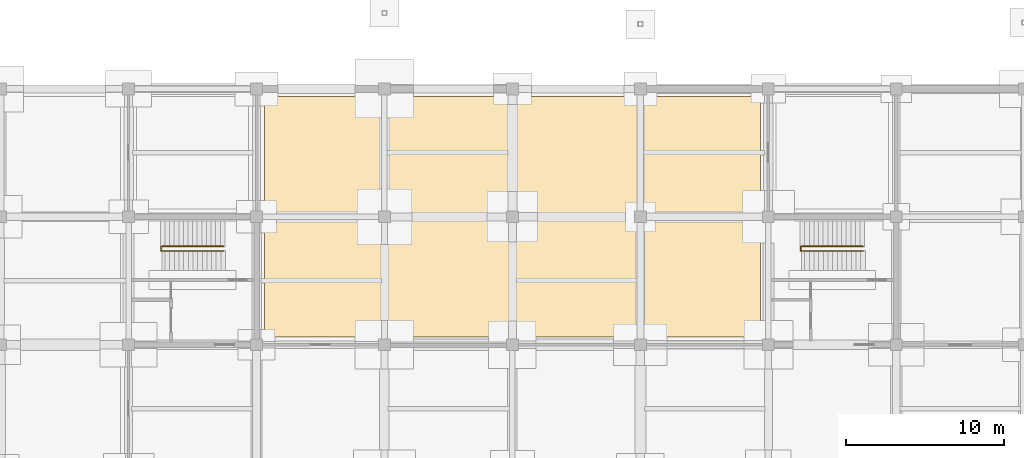
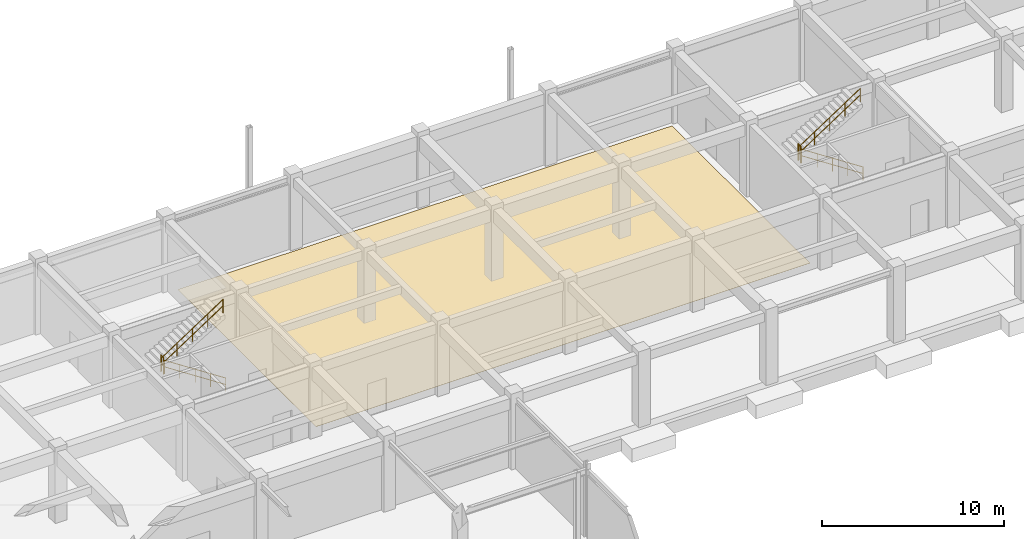
# One storey, part 62 of 67: 6 railings, 1 covering.
"""IFC4 building model written with IfcOpenShell, lengths in metres."""

from ifc_helpers import new_model, si_unit, direction, frame, origin, origin_2d, place, context, subcontext, project, spatial, polyline, circle, outline, extrude, material, layer, layer_set, type_object, element, save


model = new_model("IFC4")

# Units and contexts
model_context = context("Model", 3, precision=1e-05, world=origin(), true_north=direction((0.0, 1.0)))
body_context = subcontext(model_context, "Body", "Model", "MODEL_VIEW")
ifc_project = project(units=[si_unit("LENGTHUNIT", "METRE"), si_unit("AREAUNIT", "SQUARE_METRE"), si_unit("VOLUMEUNIT", "CUBIC_METRE"), si_unit("PLANEANGLEUNIT", "RADIAN"), si_unit("MASSUNIT", "GRAM", prefix="KILO")], contexts=[model_context])

# Site, building, storey
site_placement = place(None, origin())
site = spatial("IfcSite", under=ifc_project, at=site_placement, CompositionType="ELEMENT")
building_placement = place(site_placement, origin())
building = spatial("IfcBuilding", under=site, at=building_placement, Name="Vaudrelin Polytechnic", CompositionType="ELEMENT")
storey_placement = place(building_placement, frame((0.0, 0.0, -5.10009765625)))
storey = spatial("IfcBuildingStorey", under=building, at=storey_placement, Name="B1", CompositionType="ELEMENT", Elevation=-5.10009765625)

# Covering
ifc_material_1 = material(Name="Seamless chemical-resistant laboratory epoxy", Category="flooring")
ifc_layer = layer(ifc_material_1, 0.011962890625)
ifc_layer_set = layer_set([ifc_layer], Name="Seamless chemical-resistant laboratory epoxy")
covering_type = type_object("IfcCoveringType", Name="COV-FLR-EPX", PredefinedType="FLOORING", material=ifc_layer_set)
covering_placement = place(storey_placement, origin())
element("IfcCovering", 1, at=covering_placement, inside=storey, type_object=covering_type, Name="Chemical-resistant flooring B1-011", PredefinedType="FLOORING", context=body_context, shape_type="SweptSolid", body=[
    extrude(outline(polyline([(24.800048828125, 105.800048828125), (56.199951171875, 105.800048828125), (56.199951171875, 121.0), (24.800048828125, 121.0), (24.800048828125, 105.800048828125)])), origin(), (0.0, 0.0, 1.0), 0.01220703125),
])

# Railings
ifc_material_2 = material(Name="Brushed stainless steel AISI 304", Category="steel")
railing_type_1 = type_object("IfcRailingType", Name="RAL-GR-INT", PredefinedType="GUARDRAIL", material=ifc_material_2)
for number, where, name in (
    (2, (18.25, 111.239990234375, 2.550048828125), "ST-01-B1 landing well guardrail"),
    (3, (58.75, 111.239990234375, 2.550048828125), "ST-09-B1 landing well guardrail"),
):
    element("IfcRailing", number, at=place(storey_placement, frame(where)), inside=storey, type_object=railing_type_1, Name=name, PredefinedType="GUARDRAIL", context=body_context, shape_type="SweptSolid", body=[
        extrude(circle(Radius=0.02392578125, at=origin_2d()), frame((0.0, 0.023193359375, 1.09619140625), z_axis=(0.0, 1.0, 0.0), x_axis=(-1.0, 0.0, 0.0)), (0.0, 0.0, 1.0), 0.23388671875),
        extrude(circle(Radius=0.02392578125, at=origin_2d()), frame((0.0, 0.023193359375, 0.56005859375), z_axis=(0.0, 1.0, 0.0), x_axis=(-1.0, 0.0, 0.0)), (0.0, 0.0, 1.0), 0.23388671875),
        extrude(circle(Radius=0.02099609375, at=origin_2d()), origin(), (0.0, 0.0, 1.0), 1.1201171875),
        extrude(circle(Radius=0.02099609375, at=origin_2d()), frame((0.0, 0.280029296875, 0.0)), (0.0, 0.0, 1.0), 1.1201171875),
    ])
railing_type_2 = type_object("IfcRailingType", Name="RAL-HR-STR", PredefinedType="HANDRAIL", material=ifc_material_2)
railing_1_placement = place(storey_placement, frame((22.199951171875, 111.22998046875, 0.0)))
element("IfcRailing", 4, at=railing_1_placement, inside=storey, type_object=railing_type_2, Name="ST-01-B1 flight 1 handrail", PredefinedType="HANDRAIL", context=body_context, shape_type="SweptSolid", body=[
    extrude(circle(Radius=0.02392578125, at=origin_2d()), frame((-0.019287109375, 0.0, 0.908447265625), z_axis=(-0.83631341276, 0.0, 0.548251653566), x_axis=(0.0, -1.0, 0.0)), (0.0, 0.0, 1.0), 4.60498046875),
    extrude(circle(Radius=0.02392578125, at=origin_2d()), frame((-0.019287109375, 0.0, 0.47265625), z_axis=(-0.83631341276, 0.0, 0.548251653566), x_axis=(0.0, -1.0, 0.0)), (0.0, 0.0, 1.0), 4.60498046875),
    extrude(circle(Radius=0.02099609375, at=origin_2d()), origin(), (0.0, 0.0, 1.0), 0.919921875),
    extrude(circle(Radius=0.02099609375, at=origin_2d()), frame((-0.972412109375, 0.0, 0.637451171875)), (0.0, 0.0, 1.0), 0.919921875),
    extrude(circle(Radius=0.02099609375, at=origin_2d()), frame((-1.94482421875, 0.0, 1.27490234375)), (0.0, 0.0, 1.0), 0.919921875),
    extrude(circle(Radius=0.02099609375, at=origin_2d()), frame((-2.91748046875, 0.0, 1.91259765625)), (0.0, 0.0, 1.0), 0.919921875),
    extrude(circle(Radius=0.02099609375, at=origin_2d()), frame((-3.889892578125, 0.0, 2.550048828125)), (0.0, 0.0, 1.0), 0.919921875),
])
railing_2_placement = place(storey_placement, frame((18.31005859375, 111.530029296875, 2.550048828125)))
element("IfcRailing", 5, at=railing_2_placement, inside=storey, type_object=railing_type_2, Name="ST-01-B1 flight 2 handrail", PredefinedType="HANDRAIL", context=body_context, shape_type="SweptSolid", body=[
    extrude(circle(Radius=0.02392578125, at=origin_2d()), frame((0.019287109375, 0.0, 0.908447265625), z_axis=(0.83631341276, 0.0, 0.548251653566), x_axis=(0.0, 1.0, 0.0)), (0.0, 0.0, 1.0), 4.60498046875),
    extrude(circle(Radius=0.02392578125, at=origin_2d()), frame((0.019287109375, 0.0, 0.47265625), z_axis=(0.83631341276, 0.0, 0.548251653566), x_axis=(0.0, 1.0, 0.0)), (0.0, 0.0, 1.0), 4.60498046875),
    extrude(circle(Radius=0.02099609375, at=origin_2d()), origin(), (0.0, 0.0, 1.0), 0.919921875),
    extrude(circle(Radius=0.02099609375, at=origin_2d()), frame((0.972412109375, 0.0, 0.637451171875)), (0.0, 0.0, 1.0), 0.919921875),
    extrude(circle(Radius=0.02099609375, at=origin_2d()), frame((1.94482421875, 0.0, 1.27490234375)), (0.0, 0.0, 1.0), 0.919921875),
    extrude(circle(Radius=0.02099609375, at=origin_2d()), frame((2.91748046875, 0.0, 1.91259765625)), (0.0, 0.0, 1.0), 0.919921875),
    extrude(circle(Radius=0.02099609375, at=origin_2d()), frame((3.889892578125, 0.0, 2.550048828125)), (0.0, 0.0, 1.0), 0.919921875),
])
railing_3_placement = place(storey_placement, frame((62.699951171875, 111.22998046875, 0.0)))
element("IfcRailing", 6, at=railing_3_placement, inside=storey, type_object=railing_type_2, Name="ST-09-B1 flight 1 handrail", PredefinedType="HANDRAIL", context=body_context, shape_type="SweptSolid", body=[
    extrude(circle(Radius=0.02392578125, at=origin_2d()), frame((-0.019287109375, 0.0, 0.908447265625), z_axis=(-0.83631341276, 0.0, 0.548251653566), x_axis=(0.0, -1.0, 0.0)), (0.0, 0.0, 1.0), 4.60498046875),
    extrude(circle(Radius=0.02392578125, at=origin_2d()), frame((-0.019287109375, 0.0, 0.47265625), z_axis=(-0.83631341276, 0.0, 0.548251653566), x_axis=(0.0, -1.0, 0.0)), (0.0, 0.0, 1.0), 4.60498046875),
    extrude(circle(Radius=0.02099609375, at=origin_2d()), origin(), (0.0, 0.0, 1.0), 0.919921875),
    extrude(circle(Radius=0.02099609375, at=origin_2d()), frame((-0.972412109375, 0.0, 0.637451171875)), (0.0, 0.0, 1.0), 0.919921875),
    extrude(circle(Radius=0.02099609375, at=origin_2d()), frame((-1.94482421875, 0.0, 1.27490234375)), (0.0, 0.0, 1.0), 0.919921875),
    extrude(circle(Radius=0.02099609375, at=origin_2d()), frame((-2.91748046875, 0.0, 1.91259765625)), (0.0, 0.0, 1.0), 0.919921875),
    extrude(circle(Radius=0.02099609375, at=origin_2d()), frame((-3.889892578125, 0.0, 2.550048828125)), (0.0, 0.0, 1.0), 0.919921875),
])
railing_4_placement = place(storey_placement, frame((58.81005859375, 111.530029296875, 2.550048828125)))
element("IfcRailing", 7, at=railing_4_placement, inside=storey, type_object=railing_type_2, Name="ST-09-B1 flight 2 handrail", PredefinedType="HANDRAIL", context=body_context, shape_type="SweptSolid", body=[
    extrude(circle(Radius=0.02392578125, at=origin_2d()), frame((0.019287109375, 0.0, 0.908447265625), z_axis=(0.83631341276, 0.0, 0.548251653566), x_axis=(0.0, 1.0, 0.0)), (0.0, 0.0, 1.0), 4.60498046875),
    extrude(circle(Radius=0.02392578125, at=origin_2d()), frame((0.019287109375, 0.0, 0.47265625), z_axis=(0.83631341276, 0.0, 0.548251653566), x_axis=(0.0, 1.0, 0.0)), (0.0, 0.0, 1.0), 4.60498046875),
    extrude(circle(Radius=0.02099609375, at=origin_2d()), origin(), (0.0, 0.0, 1.0), 0.919921875),
    extrude(circle(Radius=0.02099609375, at=origin_2d()), frame((0.972412109375, 0.0, 0.637451171875)), (0.0, 0.0, 1.0), 0.919921875),
    extrude(circle(Radius=0.02099609375, at=origin_2d()), frame((1.94482421875, 0.0, 1.27490234375)), (0.0, 0.0, 1.0), 0.919921875),
    extrude(circle(Radius=0.02099609375, at=origin_2d()), frame((2.91748046875, 0.0, 1.91259765625)), (0.0, 0.0, 1.0), 0.919921875),
    extrude(circle(Radius=0.02099609375, at=origin_2d()), frame((3.889892578125, 0.0, 2.550048828125)), (0.0, 0.0, 1.0), 0.919921875),
])

save(model, "model.ifc")
